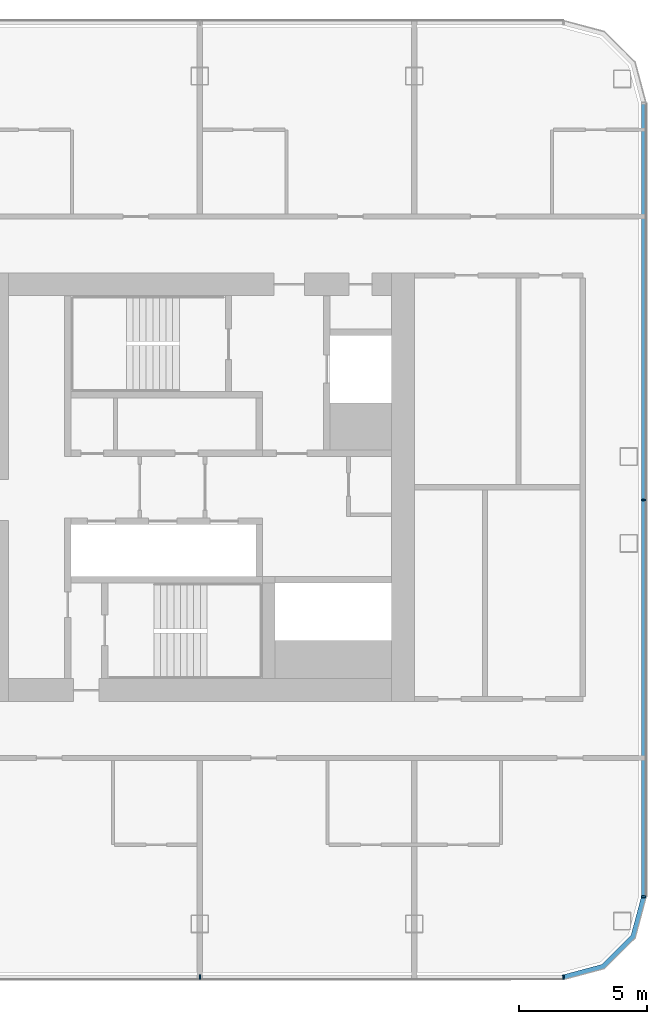
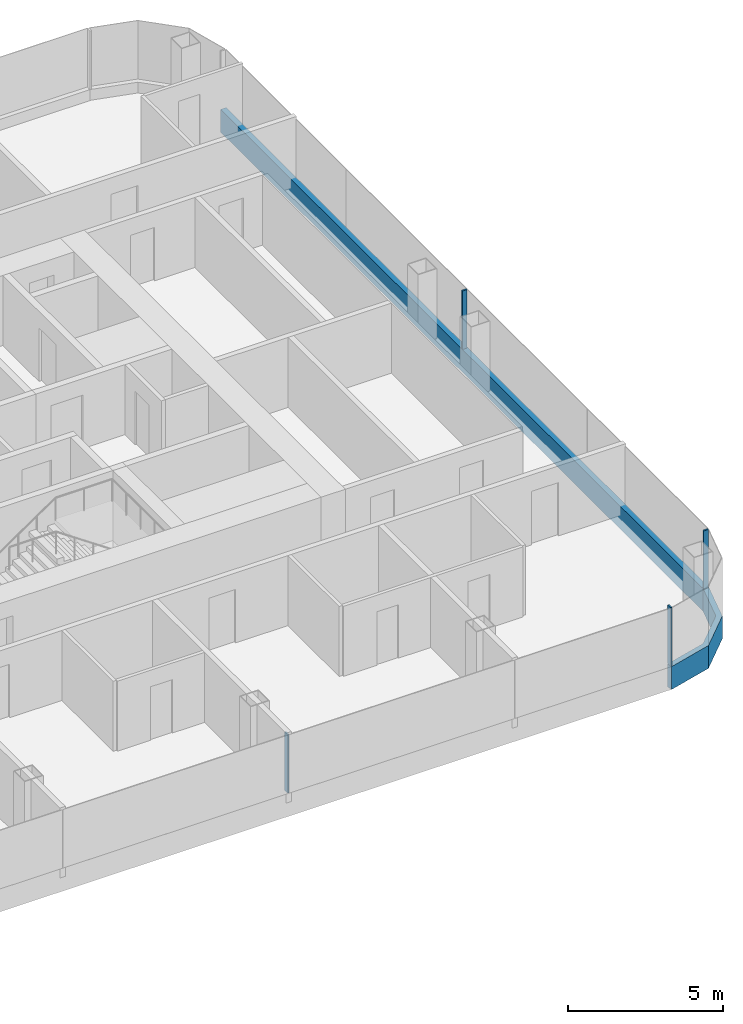
# One storey, part 9 of 25: 6 members, 3 elements without a shape of their own.
"""IFC4 building model written with IfcOpenShell, lengths in metres."""

from ifc_helpers import new_model, si_unit, direction, frame, origin, origin_2d, place, context, subcontext, project, spatial, polyline, rectangle, outline, extrude, material, layer, layer_set, material_profile, profile_set, type_object, element, aggregate, save


model = new_model("IFC4")

# Units and contexts
model_context = context("Model", 3, precision=1e-05, world=origin(), true_north=direction((0.0, 1.0)))
body_context = subcontext(model_context, "Body", "Model", "MODEL_VIEW")
ifc_project = project(units=[si_unit("LENGTHUNIT", "METRE"), si_unit("AREAUNIT", "SQUARE_METRE"), si_unit("VOLUMEUNIT", "CUBIC_METRE"), si_unit("PLANEANGLEUNIT", "RADIAN"), si_unit("MASSUNIT", "GRAM", prefix="KILO")], contexts=[model_context])

# Site, building, storey
site_placement = place(None, origin())
site = spatial("IfcSite", under=ifc_project, at=site_placement, CompositionType="ELEMENT")
building_placement = place(site_placement, origin())
building = spatial("IfcBuilding", under=site, at=building_placement, Name="Hakoniwa Tower and Hamabe Station Hall", CompositionType="ELEMENT")
storey_placement = place(building_placement, frame((0.0, 0.0, 147.0)))
storey = spatial("IfcBuildingStorey", under=building, at=storey_placement, Name="L41", CompositionType="ELEMENT", Elevation=147.0)

# Curtain wall, member
ifc_material_1 = material(Name="Dark low-e laminated glass", Category="glass")
ifc_layer = layer(ifc_material_1, 0.199951171875)
ifc_layer_set = layer_set([ifc_layer], Name="CW-1 UNITISED GUEST")
curtain_wall_type = type_object("IfcCurtainWallType", Name="CW-1 UNITISED GUEST", PredefinedType="NOTDEFINED", material=ifc_layer_set)
curtain_wall_1_placement = place(storey_placement, origin())
curtain_wall_1 = element("IfcCurtainWall", 1, at=curtain_wall_1_placement, inside=storey, type_object=curtain_wall_type, Name="CW-1 curtain wall", PredefinedType="NOTDEFINED")
ifc_material_2 = material(Name="Aluminium 6063-T5 black anodised", Category="aluminium")
ifc_material_profile_1 = material_profile(ifc_material_2, rectangle(XDim=0.199951171875, YDim=0.89990234375, at=origin_2d()), Name="CW SLAB-EDGE BAND 900X200")
ifc_profile_set_1 = profile_set([ifc_material_profile_1], Name="Aluminium 6063-T5 black anodised")
member_type_1 = type_object("IfcMemberType", Name="CW SLAB-EDGE BAND 900X200", PredefinedType="USERDEFINED", material=ifc_profile_set_1)
member_1_placement = place(storey_placement, frame((42.60009765625, -16.03955078125, -0.10009765625), z_axis=(0.0, 1.0, 0.0), x_axis=(-1.0, 0.0, 0.0)))
member_1 = element("IfcMember", 2, at=member_1_placement, type_object=member_type_1, Name="CW-1 transom", ObjectType="TRANSOM", PredefinedType="USERDEFINED", context=body_context, shape_type="SweptSolid", body=[
    extrude(rectangle(XDim=0.199951171875, YDim=0.89990234375, at=origin_2d()), origin(), (0.0, 0.0, 1.0), 31.0791015625),
])

curtain_wall_2_placement = place(storey_placement, origin())
curtain_wall_2 = element("IfcCurtainWall", 3, at=curtain_wall_2_placement, inside=storey, type_object=curtain_wall_type, Name="CW-1 curtain wall", PredefinedType="NOTDEFINED")
member_2_placement = place(storey_placement, frame((0.0, 0.0, -0.550048828125)))
member_2 = element("IfcMember", 4, at=member_2_placement, type_object=member_type_1, Name="CW-1 transom", ObjectType="TRANSOM", PredefinedType="USERDEFINED", context=body_context, shape_type="SweptSolid", body=[
    extrude(outline(polyline([(39.439453125, -19.300048828125), (41.05517578125, -18.866943359375), (42.26708984375, -17.6552734375), (42.699951171875, -16.03955078125), (42.5068359375, -15.98779296875), (42.087646484375, -17.5517578125), (40.95166015625, -18.687744140625), (39.3876953125, -19.10693359375), (39.439453125, -19.300048828125)])), origin(), (0.0, 0.0, 1.0), 0.900146484375),
])
aggregate(curtain_wall_2, [member_2])

# Member
ifc_material_3 = material(Name="Aluminium 6063-T5 black anodised", Category="aluminium")
ifc_material_profile_2 = material_profile(ifc_material_3, rectangle(XDim=0.06005859375, YDim=0.179931640625, at=origin_2d()), Name="CW-1 MULLION 60X180")
ifc_profile_set_2 = profile_set([ifc_material_profile_2], Name="Aluminium 6063-T5 black anodised")
member_type_2 = type_object("IfcMemberType", Name="CW-1 MULLION 60X180", PredefinedType="MULLION", material=ifc_profile_set_2)
member_3_placement = place(storey_placement, frame((42.58203125, -16.03955078125, 0.35009765625), z_axis=(0.0, 0.0, 1.0), x_axis=(0.0, 1.0, 0.0)))
member_3 = element("IfcMember", 5, at=member_3_placement, type_object=member_type_2, Name="CW-1 mullion", PredefinedType="MULLION", context=body_context, shape_type="SweptSolid", body=[
    extrude(rectangle(XDim=0.06005859375, YDim=0.179931640625, at=origin_2d()), origin(), (0.0, 0.0, 1.0), 2.2998046875),
])

member_4_placement = place(storey_placement, frame((42.58203125, -0.5, 0.35009765625), z_axis=(0.0, 0.0, 1.0), x_axis=(0.0, 1.0, 0.0)))
member_4 = element("IfcMember", 6, at=member_4_placement, type_object=member_type_2, Name="CW-1 mullion", PredefinedType="MULLION", context=body_context, shape_type="SweptSolid", body=[
    extrude(rectangle(XDim=0.06005859375, YDim=0.179931640625, at=origin_2d()), origin(), (0.0, 0.0, 1.0), 2.2998046875),
])

aggregate(curtain_wall_1, [member_3, member_4, member_1])

# Curtain wall, members
curtain_wall_3_placement = place(storey_placement, origin())
curtain_wall_3 = element("IfcCurtainWall", 7, at=curtain_wall_3_placement, inside=storey, type_object=curtain_wall_type, Name="CW-1 curtain wall", PredefinedType="NOTDEFINED")
member_5_placement = place(storey_placement, frame((25.199951171875, -19.181884765625, 0.35009765625), z_axis=(0.0, 0.0, 1.0), x_axis=(1.0, 0.0, 0.0)))
member_5 = element("IfcMember", 8, at=member_5_placement, type_object=member_type_2, Name="CW-1 mullion", PredefinedType="MULLION", context=body_context, shape_type="SweptSolid", body=[
    extrude(rectangle(XDim=0.06005859375, YDim=0.179931640625, at=origin_2d()), origin(), (0.0, 0.0, 1.0), 2.2998046875),
])
member_6_placement = place(storey_placement, frame((39.439453125, -19.181884765625, 0.35009765625), z_axis=(0.0, 0.0, 1.0), x_axis=(1.0, 0.0, 0.0)))
member_6 = element("IfcMember", 9, at=member_6_placement, type_object=member_type_2, Name="CW-1 mullion", PredefinedType="MULLION", context=body_context, shape_type="SweptSolid", body=[
    extrude(rectangle(XDim=0.06005859375, YDim=0.179931640625, at=origin_2d()), origin(), (0.0, 0.0, 1.0), 2.2998046875),
])
aggregate(curtain_wall_3, [member_5, member_6])

save(model, "model.ifc")
